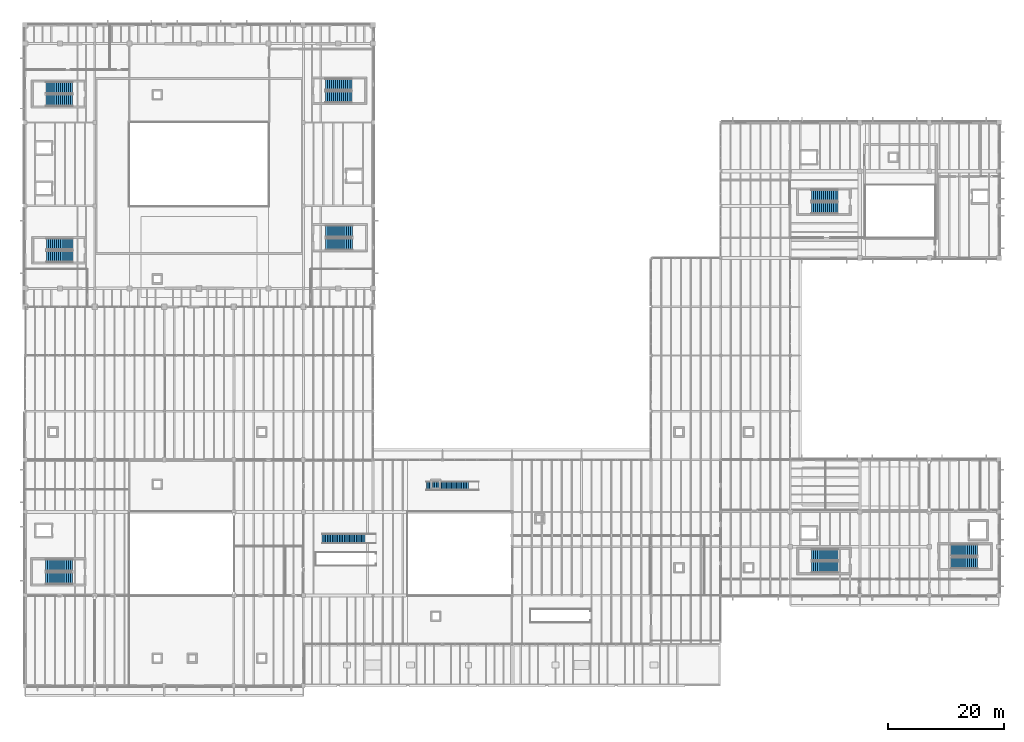
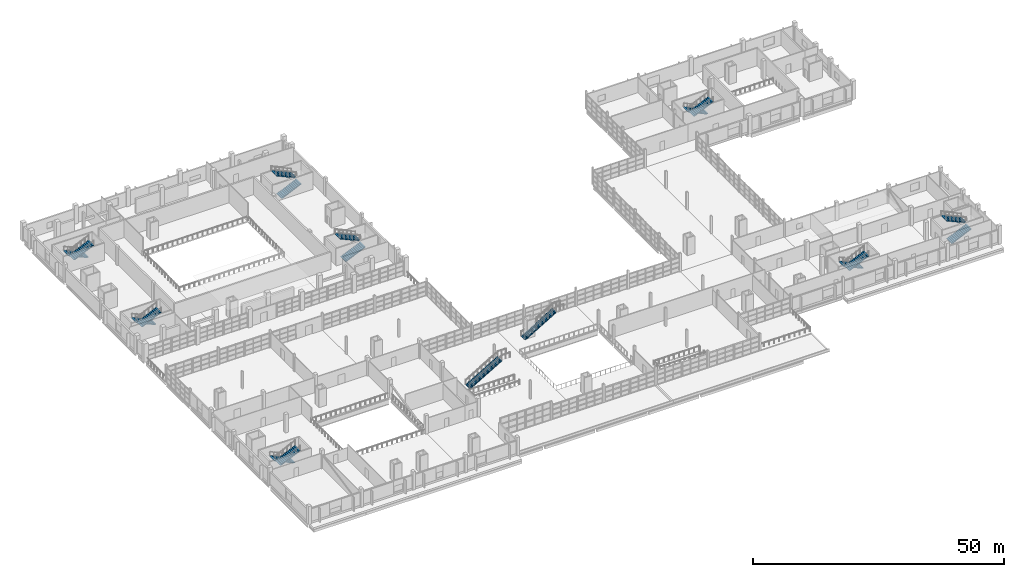
# One storey, part 99 of 114: 18 stair flights, 10 elements without a shape of their own.
"""IFC4 building model written with IfcOpenShell, lengths in metres."""

from ifc_helpers import new_model, si_unit, direction, frame, origin, place, context, subcontext, project, spatial, polyline, outline, extrude, material, type_object, element, aggregate, save


model = new_model("IFC4")

# Units and contexts
model_context = context("Model", 3, precision=1e-05, world=origin(), true_north=direction((0.0, 1.0)))
body_context = subcontext(model_context, "Body", "Model", "MODEL_VIEW")
ifc_project = project(units=[si_unit("LENGTHUNIT", "METRE"), si_unit("AREAUNIT", "SQUARE_METRE"), si_unit("VOLUMEUNIT", "CUBIC_METRE"), si_unit("PLANEANGLEUNIT", "RADIAN"), si_unit("MASSUNIT", "GRAM", prefix="KILO")], contexts=[model_context])

# Site, building, storey
site_placement = place(None, origin())
site = spatial("IfcSite", under=ifc_project, at=site_placement, CompositionType="ELEMENT")
building_placement = place(site_placement, origin())
building = spatial("IfcBuilding", under=site, at=building_placement, Name="Kelmvaro Bay Concert Hall", CompositionType="ELEMENT")
storey_placement = place(building_placement, frame((0.0, 0.0, 4.800048828125)))
storey = spatial("IfcBuildingStorey", under=building, at=storey_placement, Name="L01", CompositionType="ELEMENT", Elevation=4.800048828125)

# Stair, stair flight
ifc_material_1 = material(Name="Concrete C40/50", Category="concrete")
stair_type_1 = type_object("IfcStairType", Name="Atrium Overlook Straight Stair 1480", PredefinedType="STRAIGHT_RUN_STAIR", material=ifc_material_1)
stair_1_placement = place(storey_placement, origin())
stair_1 = element("IfcStair", 1, at=stair_1_placement, inside=storey, type_object=stair_type_1, Name="L01 Feature Stair FS-05", PredefinedType="STRAIGHT_RUN_STAIR")
ifc_material_2 = material(Name="Concrete C40/50", Category="concrete")
stair_flight_type_1 = type_object("IfcStairFlightType", Name="Atrium Stepped Stair Flight 1480", PredefinedType="STRAIGHT", material=ifc_material_2)
stair_flight_1_placement = place(storey_placement, frame((69.199951171875, 34.5, 0.0), z_axis=(0.0, 0.0, 1.0), x_axis=(1.0, 0.0, 0.0)))
stair_flight_1 = element("IfcStairFlight", 2, at=stair_flight_1_placement, type_object=stair_flight_type_1, Name="FS-05 flight 1", NumberOfRisers=26, NumberOfTreads=25, PredefinedType="STRAIGHT", RiserHeight=0.173076923, TreadLength=0.29, context=body_context, shape_type="SweptSolid", body=[
    extrude(outline(polyline([(0.0, 0.0), (0.0, 0.173095703125), (0.2900390625, 0.173095703125), (0.2900390625, 0.34619140625), (0.580078125, 0.34619140625), (0.580078125, 0.519287109375), (0.8701171875, 0.519287109375), (0.8701171875, 0.6923828125), (1.159912109375, 0.6923828125), (1.159912109375, 0.865478515625), (1.449951171875, 0.865478515625), (1.449951171875, 1.03857421875), (1.739990234375, 1.03857421875), (1.739990234375, 1.21142578125), (2.030029296875, 1.21142578125), (2.030029296875, 1.384521484375), (2.320068359375, 1.384521484375), (2.320068359375, 1.5576171875), (2.610107421875, 1.5576171875), (2.610107421875, 1.730712890625), (2.89990234375, 1.730712890625), (2.89990234375, 1.90380859375), (3.18994140625, 1.90380859375), (3.18994140625, 2.076904296875), (3.47998046875, 2.076904296875), (3.47998046875, 2.25), (3.77001953125, 2.25), (3.77001953125, 2.423095703125), (4.06005859375, 2.423095703125), (4.06005859375, 2.59619140625), (4.35009765625, 2.59619140625), (4.35009765625, 2.769287109375), (4.639892578125, 2.769287109375), (4.639892578125, 2.9423828125), (4.929931640625, 2.9423828125), (4.929931640625, 3.115478515625), (5.219970703125, 3.115478515625), (5.219970703125, 3.28857421875), (5.510009765625, 3.28857421875), (5.510009765625, 3.46142578125), (5.800048828125, 3.46142578125), (5.800048828125, 3.634521484375), (6.090087890625, 3.634521484375), (6.090087890625, 3.8076171875), (6.3798828125, 3.8076171875), (6.3798828125, 3.980712890625), (6.669921875, 3.980712890625), (6.669921875, 4.15380859375), (6.9599609375, 4.15380859375), (6.9599609375, 4.326904296875), (7.25, 4.326904296875), (7.25, 4.5), (7.25, 4.117431640625), (0.35107421875, 0.0), (0.0, 0.0)])), frame((0.0, 0.739990234375, 0.0), z_axis=(0.0, -1.0, 0.0), x_axis=(1.0, 0.0, 0.0)), (0.0, 0.0, 1.0), 1.47998046875),
])
aggregate(stair_1, [stair_flight_1])

ifc_material_3 = material(Name="Concrete C40/50", Category="concrete")
stair_type_2 = type_object("IfcStairType", Name="Mezzanine Straight Feature Stair 1650", PredefinedType="STRAIGHT_RUN_STAIR", material=ifc_material_3)
stair_2_placement = place(storey_placement, origin())
stair_2 = element("IfcStair", 3, at=stair_2_placement, inside=storey, type_object=stair_type_2, Name="L01 Feature Stair FS-02", PredefinedType="STRAIGHT_RUN_STAIR")
ifc_material_4 = material(Name="Concrete C40/50", Category="concrete")
stair_flight_type_2 = type_object("IfcStairFlightType", Name="Mezzanine Feature Stair Flight 1650", PredefinedType="STRAIGHT", material=ifc_material_4)
stair_flight_2_placement = place(storey_placement, frame((51.239990234375, 25.39990234375, 0.0), z_axis=(0.0, 0.0, 1.0), x_axis=(1.0, 0.0, 0.0)))
stair_flight_2 = element("IfcStairFlight", 4, at=stair_flight_2_placement, type_object=stair_flight_type_2, Name="FS-02 flight 1", NumberOfRisers=26, NumberOfTreads=25, PredefinedType="STRAIGHT", RiserHeight=0.173076923, TreadLength=0.295, context=body_context, shape_type="SweptSolid", body=[
    extrude(outline(polyline([(0.0, 0.0), (0.0, 0.173095703125), (0.294921875, 0.173095703125), (0.294921875, 0.34619140625), (0.590087890625, 0.34619140625), (0.590087890625, 0.519287109375), (0.885009765625, 0.519287109375), (0.885009765625, 0.6923828125), (1.179931640625, 0.6923828125), (1.179931640625, 0.865478515625), (1.47509765625, 0.865478515625), (1.47509765625, 1.03857421875), (1.77001953125, 1.03857421875), (1.77001953125, 1.21142578125), (2.06494140625, 1.21142578125), (2.06494140625, 1.384521484375), (2.360107421875, 1.384521484375), (2.360107421875, 1.5576171875), (2.655029296875, 1.5576171875), (2.655029296875, 1.730712890625), (2.949951171875, 1.730712890625), (2.949951171875, 1.90380859375), (3.2451171875, 1.90380859375), (3.2451171875, 2.076904296875), (3.5400390625, 2.076904296875), (3.5400390625, 2.25), (3.8349609375, 2.25), (3.8349609375, 2.423095703125), (4.1298828125, 2.423095703125), (4.1298828125, 2.59619140625), (4.425048828125, 2.59619140625), (4.425048828125, 2.769287109375), (4.719970703125, 2.769287109375), (4.719970703125, 2.9423828125), (5.014892578125, 2.9423828125), (5.014892578125, 3.115478515625), (5.31005859375, 3.115478515625), (5.31005859375, 3.28857421875), (5.60498046875, 3.28857421875), (5.60498046875, 3.46142578125), (5.89990234375, 3.46142578125), (5.89990234375, 3.634521484375), (6.195068359375, 3.634521484375), (6.195068359375, 3.8076171875), (6.489990234375, 3.8076171875), (6.489990234375, 3.980712890625), (6.784912109375, 3.980712890625), (6.784912109375, 4.15380859375), (7.080078125, 4.15380859375), (7.080078125, 4.326904296875), (7.375, 4.326904296875), (7.375, 4.5), (7.375, 4.118408203125), (0.35546875, 0.0), (0.0, 0.0)])), frame((0.0, 0.824951171875, 0.0), z_axis=(0.0, -1.0, 0.0), x_axis=(1.0, 0.0, 0.0)), (0.0, 0.0, 1.0), 1.64990234375),
])
aggregate(stair_2, [stair_flight_2])

# Stair, stair flights
ifc_material_5 = material(Name="Concrete C40/50", Category="concrete")
stair_type_3 = type_object("IfcStairType", Name="Core Dogleg Exit Stair 1980", PredefinedType="USERDEFINED", material=ifc_material_5)
stair_3_placement = place(storey_placement, origin())
stair_3 = element("IfcStair", 5, at=stair_3_placement, inside=storey, type_object=stair_type_3, Name="L01 Exit Stair ST-01", ObjectType="TWO_RETURN_STAIR", PredefinedType="USERDEFINED")
ifc_material_6 = material(Name="Precast Concrete C40/50", Category="concrete")
stair_flight_type_3 = type_object("IfcStairFlightType", Name="Precast Concrete Core Stair Flight 1980", PredefinedType="STRAIGHT", material=ifc_material_6)
stair_flight_3_placement = place(storey_placement, frame((8.219970703125, 76.2099609375, 0.0), z_axis=(0.0, 0.0, 1.0), x_axis=(-1.0, 0.0, 0.0)))
stair_flight_3 = element("IfcStairFlight", 6, at=stair_flight_3_placement, type_object=stair_flight_type_3, Name="ST-01 flight 1", NumberOfRisers=14, NumberOfTreads=13, PredefinedType="STRAIGHT", RiserHeight=0.160714286, TreadLength=0.348, context=body_context, shape_type="SweptSolid", body=[
    extrude(outline(polyline([(0.0, 0.0), (0.0, 0.16064453125), (0.347900390625, 0.16064453125), (0.347900390625, 0.321533203125), (0.696044921875, 0.321533203125), (0.696044921875, 0.482177734375), (1.0439453125, 0.482177734375), (1.0439453125, 0.642822265625), (1.39208984375, 0.642822265625), (1.39208984375, 0.803466796875), (1.739990234375, 0.803466796875), (1.739990234375, 0.96435546875), (2.087890625, 0.96435546875), (2.087890625, 1.125), (2.43603515625, 1.125), (2.43603515625, 1.28564453125), (2.783935546875, 1.28564453125), (2.783935546875, 1.446533203125), (3.132080078125, 1.446533203125), (3.132080078125, 1.607177734375), (3.47998046875, 1.607177734375), (3.47998046875, 1.767822265625), (3.827880859375, 1.767822265625), (3.827880859375, 1.928466796875), (4.176025390625, 1.928466796875), (4.176025390625, 2.08935546875), (4.52392578125, 2.08935546875), (4.52392578125, 2.25), (4.52392578125, 1.924072265625), (0.357421875, 0.0), (0.0, 0.0)])), frame((0.0, 0.989990234375, 0.0), z_axis=(0.0, -1.0, 0.0), x_axis=(1.0, 0.0, 0.0)), (0.0, 0.0, 1.0), 1.97998046875),
])
stair_flight_4_placement = place(storey_placement, frame((3.696044921875, 74.080078125, 2.25), z_axis=(0.0, 0.0, 1.0), x_axis=(1.0, 0.0, 0.0)))
stair_flight_4 = element("IfcStairFlight", 7, at=stair_flight_4_placement, type_object=stair_flight_type_3, Name="ST-01 flight 2", NumberOfRisers=14, NumberOfTreads=13, PredefinedType="STRAIGHT", RiserHeight=0.160714286, TreadLength=0.348, context=body_context, shape_type="SweptSolid", body=[
    extrude(outline(polyline([(0.0, 0.0), (0.0, 0.16064453125), (0.347900390625, 0.16064453125), (0.347900390625, 0.321533203125), (0.696044921875, 0.321533203125), (0.696044921875, 0.482177734375), (1.0439453125, 0.482177734375), (1.0439453125, 0.642822265625), (1.39208984375, 0.642822265625), (1.39208984375, 0.803466796875), (1.739990234375, 0.803466796875), (1.739990234375, 0.96435546875), (2.087890625, 0.96435546875), (2.087890625, 1.125), (2.43603515625, 1.125), (2.43603515625, 1.28564453125), (2.783935546875, 1.28564453125), (2.783935546875, 1.446533203125), (3.132080078125, 1.446533203125), (3.132080078125, 1.607177734375), (3.47998046875, 1.607177734375), (3.47998046875, 1.767822265625), (3.827880859375, 1.767822265625), (3.827880859375, 1.928466796875), (4.176025390625, 1.928466796875), (4.176025390625, 2.08935546875), (4.52392578125, 2.08935546875), (4.52392578125, 2.25), (4.52392578125, 1.924072265625), (0.357421875, 0.0), (0.0, 0.0)])), frame((0.0, 0.989990234375, 0.0), z_axis=(0.0, -1.0, 0.0), x_axis=(1.0, 0.0, 0.0)), (0.0, 0.0, 1.0), 1.97998046875),
])
aggregate(stair_3, [stair_flight_3, stair_flight_4])

stair_4_placement = place(storey_placement, origin())
stair_4 = element("IfcStair", 8, at=stair_4_placement, inside=storey, type_object=stair_type_3, Name="L01 Exit Stair ST-05", ObjectType="TWO_RETURN_STAIR", PredefinedType="USERDEFINED")
stair_flight_5_placement = place(storey_placement, frame((140.219970703125, 22.610107421875, 0.0), z_axis=(0.0, 0.0, 1.0), x_axis=(-1.0, 0.0, 0.0)))
stair_flight_5 = element("IfcStairFlight", 9, at=stair_flight_5_placement, type_object=stair_flight_type_3, Name="ST-05 flight 1", NumberOfRisers=14, NumberOfTreads=13, PredefinedType="STRAIGHT", RiserHeight=0.160714286, TreadLength=0.348, context=body_context, shape_type="SweptSolid", body=[
    extrude(outline(polyline([(0.0, 0.0), (0.0, 0.16064453125), (0.347900390625, 0.16064453125), (0.347900390625, 0.321533203125), (0.696044921875, 0.321533203125), (0.696044921875, 0.482177734375), (1.0439453125, 0.482177734375), (1.0439453125, 0.642822265625), (1.39208984375, 0.642822265625), (1.39208984375, 0.803466796875), (1.739990234375, 0.803466796875), (1.739990234375, 0.96435546875), (2.087890625, 0.96435546875), (2.087890625, 1.125), (2.43603515625, 1.125), (2.43603515625, 1.28564453125), (2.783935546875, 1.28564453125), (2.783935546875, 1.446533203125), (3.132080078125, 1.446533203125), (3.132080078125, 1.607177734375), (3.47998046875, 1.607177734375), (3.47998046875, 1.767822265625), (3.827880859375, 1.767822265625), (3.827880859375, 1.928466796875), (4.176025390625, 1.928466796875), (4.176025390625, 2.08935546875), (4.52392578125, 2.08935546875), (4.52392578125, 2.25), (4.52392578125, 1.924072265625), (0.357421875, 0.0), (0.0, 0.0)])), frame((0.0, 0.989990234375, 0.0), z_axis=(0.0, -1.0, 0.0), x_axis=(1.0, 0.0, 0.0)), (0.0, 0.0, 1.0), 1.97998046875),
])
stair_flight_6_placement = place(storey_placement, frame((135.696044921875, 20.47998046875, 2.25), z_axis=(0.0, 0.0, 1.0), x_axis=(1.0, 0.0, 0.0)))
stair_flight_6 = element("IfcStairFlight", 10, at=stair_flight_6_placement, type_object=stair_flight_type_3, Name="ST-05 flight 2", NumberOfRisers=14, NumberOfTreads=13, PredefinedType="STRAIGHT", RiserHeight=0.160714286, TreadLength=0.348, context=body_context, shape_type="SweptSolid", body=[
    extrude(outline(polyline([(0.0, 0.0), (0.0, 0.16064453125), (0.347900390625, 0.16064453125), (0.347900390625, 0.321533203125), (0.696044921875, 0.321533203125), (0.696044921875, 0.482177734375), (1.0439453125, 0.482177734375), (1.0439453125, 0.642822265625), (1.39208984375, 0.642822265625), (1.39208984375, 0.803466796875), (1.739990234375, 0.803466796875), (1.739990234375, 0.96435546875), (2.087890625, 0.96435546875), (2.087890625, 1.125), (2.43603515625, 1.125), (2.43603515625, 1.28564453125), (2.783935546875, 1.28564453125), (2.783935546875, 1.446533203125), (3.132080078125, 1.446533203125), (3.132080078125, 1.607177734375), (3.47998046875, 1.607177734375), (3.47998046875, 1.767822265625), (3.827880859375, 1.767822265625), (3.827880859375, 1.928466796875), (4.176025390625, 1.928466796875), (4.176025390625, 2.08935546875), (4.52392578125, 2.08935546875), (4.52392578125, 2.25), (4.52392578125, 1.924072265625), (0.357421875, 0.0), (0.0, 0.0)])), frame((0.0, 0.989990234375, 0.0), z_axis=(0.0, -1.0, 0.0), x_axis=(1.0, 0.0, 0.0)), (0.0, 0.0, 1.0), 1.97998046875),
])
aggregate(stair_4, [stair_flight_5, stair_flight_6])

ifc_material_7 = material(Name="Concrete C40/50", Category="concrete")
stair_type_4 = type_object("IfcStairType", Name="Core Dogleg Exit Stair 2000", PredefinedType="USERDEFINED", material=ifc_material_7)
stair_5_placement = place(storey_placement, origin())
stair_5 = element("IfcStair", 11, at=stair_5_placement, inside=storey, type_object=stair_type_4, Name="L01 Exit Stair ST-02", ObjectType="TWO_RETURN_STAIR", PredefinedType="USERDEFINED")
ifc_material_8 = material(Name="Precast Concrete C40/50", Category="concrete")
stair_flight_type_4 = type_object("IfcStairFlightType", Name="Precast Concrete Core Stair Flight 2000", PredefinedType="STRAIGHT", material=ifc_material_8)
stair_flight_7_placement = place(storey_placement, frame((51.800048828125, 101.60009765625, 0.0), z_axis=(0.0, 0.0, 1.0), x_axis=(1.0, 0.0, 0.0)))
stair_flight_7 = element("IfcStairFlight", 12, at=stair_flight_7_placement, type_object=stair_flight_type_4, Name="ST-02 flight 1", NumberOfRisers=14, NumberOfTreads=13, PredefinedType="STRAIGHT", RiserHeight=0.160714286, TreadLength=0.35, context=body_context, shape_type="SweptSolid", body=[
    extrude(outline(polyline([(0.0, 0.0), (0.0, 0.16064453125), (0.35009765625, 0.16064453125), (0.35009765625, 0.321533203125), (0.699951171875, 0.321533203125), (0.699951171875, 0.482177734375), (1.050048828125, 0.482177734375), (1.050048828125, 0.642822265625), (1.39990234375, 0.642822265625), (1.39990234375, 0.803466796875), (1.75, 0.803466796875), (1.75, 0.96435546875), (2.10009765625, 0.96435546875), (2.10009765625, 1.125), (2.449951171875, 1.125), (2.449951171875, 1.28564453125), (2.800048828125, 1.28564453125), (2.800048828125, 1.446533203125), (3.14990234375, 1.446533203125), (3.14990234375, 1.607177734375), (3.5, 1.607177734375), (3.5, 1.767822265625), (3.85009765625, 1.767822265625), (3.85009765625, 1.928466796875), (4.199951171875, 1.928466796875), (4.199951171875, 2.08935546875), (4.550048828125, 2.08935546875), (4.550048828125, 2.25), (4.550048828125, 1.92431640625), (0.359130859375, 0.0), (0.0, 0.0)])), frame((0.0, 1.0, 0.0), z_axis=(0.0, -1.0, 0.0), x_axis=(1.0, 0.0, 0.0)), (0.0, 0.0, 1.0), 2.0),
])
stair_flight_8_placement = place(storey_placement, frame((56.35009765625, 103.75, 2.25), z_axis=(0.0, 0.0, 1.0), x_axis=(-1.0, 0.0, 0.0)))
stair_flight_8 = element("IfcStairFlight", 13, at=stair_flight_8_placement, type_object=stair_flight_type_4, Name="ST-02 flight 2", NumberOfRisers=14, NumberOfTreads=13, PredefinedType="STRAIGHT", RiserHeight=0.160714286, TreadLength=0.35, context=body_context, shape_type="SweptSolid", body=[
    extrude(outline(polyline([(0.0, 0.0), (0.0, 0.16064453125), (0.35009765625, 0.16064453125), (0.35009765625, 0.321533203125), (0.699951171875, 0.321533203125), (0.699951171875, 0.482177734375), (1.050048828125, 0.482177734375), (1.050048828125, 0.642822265625), (1.39990234375, 0.642822265625), (1.39990234375, 0.803466796875), (1.75, 0.803466796875), (1.75, 0.96435546875), (2.10009765625, 0.96435546875), (2.10009765625, 1.125), (2.449951171875, 1.125), (2.449951171875, 1.28564453125), (2.800048828125, 1.28564453125), (2.800048828125, 1.446533203125), (3.14990234375, 1.446533203125), (3.14990234375, 1.607177734375), (3.5, 1.607177734375), (3.5, 1.767822265625), (3.85009765625, 1.767822265625), (3.85009765625, 1.928466796875), (4.199951171875, 1.928466796875), (4.199951171875, 2.08935546875), (4.550048828125, 2.08935546875), (4.550048828125, 2.25), (4.550048828125, 1.92431640625), (0.359130859375, 0.0), (0.0, 0.0)])), frame((0.0, 1.0, 0.0), z_axis=(0.0, -1.0, 0.0), x_axis=(1.0, 0.0, 0.0)), (0.0, 0.0, 1.0), 2.0),
])
aggregate(stair_5, [stair_flight_7, stair_flight_8])

stair_6_placement = place(storey_placement, origin())
stair_6 = element("IfcStair", 14, at=stair_6_placement, inside=storey, type_object=stair_type_4, Name="L01 Exit Stair ST-06", ObjectType="TWO_RETURN_STAIR", PredefinedType="USERDEFINED")
stair_flight_9_placement = place(storey_placement, frame((159.719970703125, 21.2099609375, 0.0), z_axis=(0.0, 0.0, 1.0), x_axis=(1.0, 0.0, 0.0)))
stair_flight_9 = element("IfcStairFlight", 15, at=stair_flight_9_placement, type_object=stair_flight_type_4, Name="ST-06 flight 1", NumberOfRisers=14, NumberOfTreads=13, PredefinedType="STRAIGHT", RiserHeight=0.160714286, TreadLength=0.352, context=body_context, shape_type="SweptSolid", body=[
    extrude(outline(polyline([(0.0, 0.0), (0.0, 0.16064453125), (0.35205078125, 0.16064453125), (0.35205078125, 0.321533203125), (0.7041015625, 0.321533203125), (0.7041015625, 0.482177734375), (1.055908203125, 0.482177734375), (1.055908203125, 0.642822265625), (1.407958984375, 0.642822265625), (1.407958984375, 0.803466796875), (1.760009765625, 0.803466796875), (1.760009765625, 0.96435546875), (2.112060546875, 0.96435546875), (2.112060546875, 1.125), (2.464111328125, 1.125), (2.464111328125, 1.28564453125), (2.81591796875, 1.28564453125), (2.81591796875, 1.446533203125), (3.16796875, 1.446533203125), (3.16796875, 1.607177734375), (3.52001953125, 1.607177734375), (3.52001953125, 1.767822265625), (3.8720703125, 1.767822265625), (3.8720703125, 1.928466796875), (4.22412109375, 1.928466796875), (4.22412109375, 2.08935546875), (4.575927734375, 2.08935546875), (4.575927734375, 2.25), (4.575927734375, 1.924560546875), (0.36083984375, 0.0), (0.0, 0.0)])), frame((0.0, 1.010009765625, 0.0), z_axis=(0.0, -1.0, 0.0), x_axis=(1.0, 0.0, 0.0)), (0.0, 0.0, 1.0), 2.02001953125),
])
stair_flight_10_placement = place(storey_placement, frame((164.2958984375, 23.3798828125, 2.25), z_axis=(0.0, 0.0, 1.0), x_axis=(-1.0, 0.0, 0.0)))
stair_flight_10 = element("IfcStairFlight", 16, at=stair_flight_10_placement, type_object=stair_flight_type_4, Name="ST-06 flight 2", NumberOfRisers=14, NumberOfTreads=13, PredefinedType="STRAIGHT", RiserHeight=0.160714286, TreadLength=0.352, context=body_context, shape_type="SweptSolid", body=[
    extrude(outline(polyline([(0.0, 0.0), (0.0, 0.16064453125), (0.35205078125, 0.16064453125), (0.35205078125, 0.321533203125), (0.7041015625, 0.321533203125), (0.7041015625, 0.482177734375), (1.055908203125, 0.482177734375), (1.055908203125, 0.642822265625), (1.407958984375, 0.642822265625), (1.407958984375, 0.803466796875), (1.760009765625, 0.803466796875), (1.760009765625, 0.96435546875), (2.112060546875, 0.96435546875), (2.112060546875, 1.125), (2.464111328125, 1.125), (2.464111328125, 1.28564453125), (2.81591796875, 1.28564453125), (2.81591796875, 1.446533203125), (3.16796875, 1.446533203125), (3.16796875, 1.607177734375), (3.52001953125, 1.607177734375), (3.52001953125, 1.767822265625), (3.8720703125, 1.767822265625), (3.8720703125, 1.928466796875), (4.22412109375, 1.928466796875), (4.22412109375, 2.08935546875), (4.575927734375, 2.08935546875), (4.575927734375, 2.25), (4.575927734375, 1.924560546875), (0.36083984375, 0.0), (0.0, 0.0)])), frame((0.0, 1.010009765625, 0.0), z_axis=(0.0, -1.0, 0.0), x_axis=(1.0, 0.0, 0.0)), (0.0, 0.0, 1.0), 2.02001953125),
])
aggregate(stair_6, [stair_flight_9, stair_flight_10])

ifc_material_9 = material(Name="Concrete C40/50", Category="concrete")
stair_type_5 = type_object("IfcStairType", Name="Core Dogleg Exit Stair 2020", PredefinedType="USERDEFINED", material=ifc_material_9)
stair_7_placement = place(storey_placement, origin())
stair_7 = element("IfcStair", 17, at=stair_7_placement, inside=storey, type_object=stair_type_5, Name="L01 Exit Stair ST-03", ObjectType="TWO_RETURN_STAIR", PredefinedType="USERDEFINED")
ifc_material_10 = material(Name="Precast Concrete C40/50", Category="concrete")
stair_flight_type_5 = type_object("IfcStairFlightType", Name="Precast Concrete Core Stair Flight 2020", PredefinedType="STRAIGHT", material=ifc_material_10)
stair_flight_11_placement = place(storey_placement, frame((8.179931640625, 103.18994140625, 0.0), z_axis=(0.0, 0.0, 1.0), x_axis=(-1.0, 0.0, 0.0)))
stair_flight_11 = element("IfcStairFlight", 18, at=stair_flight_11_placement, type_object=stair_flight_type_5, Name="ST-03 flight 1", NumberOfRisers=14, NumberOfTreads=13, PredefinedType="STRAIGHT", RiserHeight=0.160714286, TreadLength=0.352, context=body_context, shape_type="SweptSolid", body=[
    extrude(outline(polyline([(0.0, 0.0), (0.0, 0.16064453125), (0.35205078125, 0.16064453125), (0.35205078125, 0.321533203125), (0.7041015625, 0.321533203125), (0.7041015625, 0.482177734375), (1.055908203125, 0.482177734375), (1.055908203125, 0.642822265625), (1.407958984375, 0.642822265625), (1.407958984375, 0.803466796875), (1.760009765625, 0.803466796875), (1.760009765625, 0.96435546875), (2.112060546875, 0.96435546875), (2.112060546875, 1.125), (2.464111328125, 1.125), (2.464111328125, 1.28564453125), (2.81591796875, 1.28564453125), (2.81591796875, 1.446533203125), (3.16796875, 1.446533203125), (3.16796875, 1.607177734375), (3.52001953125, 1.607177734375), (3.52001953125, 1.767822265625), (3.8720703125, 1.767822265625), (3.8720703125, 1.928466796875), (4.22412109375, 1.928466796875), (4.22412109375, 2.08935546875), (4.575927734375, 2.08935546875), (4.575927734375, 2.25), (4.575927734375, 1.924560546875), (0.36083984375, 0.0), (0.0, 0.0)])), frame((0.0, 1.010009765625, 0.0), z_axis=(0.0, -1.0, 0.0), x_axis=(1.0, 0.0, 0.0)), (0.0, 0.0, 1.0), 2.02001953125),
])
stair_flight_12_placement = place(storey_placement, frame((3.60400390625, 101.02001953125, 2.25), z_axis=(0.0, 0.0, 1.0), x_axis=(1.0, 0.0, 0.0)))
stair_flight_12 = element("IfcStairFlight", 19, at=stair_flight_12_placement, type_object=stair_flight_type_5, Name="ST-03 flight 2", NumberOfRisers=14, NumberOfTreads=13, PredefinedType="STRAIGHT", RiserHeight=0.160714286, TreadLength=0.352, context=body_context, shape_type="SweptSolid", body=[
    extrude(outline(polyline([(0.0, 0.0), (0.0, 0.16064453125), (0.35205078125, 0.16064453125), (0.35205078125, 0.321533203125), (0.7041015625, 0.321533203125), (0.7041015625, 0.482177734375), (1.055908203125, 0.482177734375), (1.055908203125, 0.642822265625), (1.407958984375, 0.642822265625), (1.407958984375, 0.803466796875), (1.760009765625, 0.803466796875), (1.760009765625, 0.96435546875), (2.112060546875, 0.96435546875), (2.112060546875, 1.125), (2.464111328125, 1.125), (2.464111328125, 1.28564453125), (2.81591796875, 1.28564453125), (2.81591796875, 1.446533203125), (3.16796875, 1.446533203125), (3.16796875, 1.607177734375), (3.52001953125, 1.607177734375), (3.52001953125, 1.767822265625), (3.8720703125, 1.767822265625), (3.8720703125, 1.928466796875), (4.22412109375, 1.928466796875), (4.22412109375, 2.08935546875), (4.575927734375, 2.08935546875), (4.575927734375, 2.25), (4.575927734375, 1.924560546875), (0.36083984375, 0.0), (0.0, 0.0)])), frame((0.0, 1.010009765625, 0.0), z_axis=(0.0, -1.0, 0.0), x_axis=(1.0, 0.0, 0.0)), (0.0, 0.0, 1.0), 2.02001953125),
])
aggregate(stair_7, [stair_flight_11, stair_flight_12])

stair_8_placement = place(storey_placement, origin())
stair_8 = element("IfcStair", 20, at=stair_8_placement, inside=storey, type_object=stair_type_5, Name="L01 Exit Stair ST-07", ObjectType="TWO_RETURN_STAIR", PredefinedType="USERDEFINED")
stair_flight_13_placement = place(storey_placement, frame((140.199951171875, 84.60009765625, 0.0), z_axis=(0.0, 0.0, 1.0), x_axis=(-1.0, 0.0, 0.0)))
stair_flight_13 = element("IfcStairFlight", 21, at=stair_flight_13_placement, type_object=stair_flight_type_5, Name="ST-07 flight 1", NumberOfRisers=14, NumberOfTreads=13, PredefinedType="STRAIGHT", RiserHeight=0.160714286, TreadLength=0.35, context=body_context, shape_type="SweptSolid", body=[
    extrude(outline(polyline([(0.0, 0.0), (0.0, 0.16064453125), (0.35009765625, 0.16064453125), (0.35009765625, 0.321533203125), (0.699951171875, 0.321533203125), (0.699951171875, 0.482177734375), (1.050048828125, 0.482177734375), (1.050048828125, 0.642822265625), (1.39990234375, 0.642822265625), (1.39990234375, 0.803466796875), (1.75, 0.803466796875), (1.75, 0.96435546875), (2.10009765625, 0.96435546875), (2.10009765625, 1.125), (2.449951171875, 1.125), (2.449951171875, 1.28564453125), (2.800048828125, 1.28564453125), (2.800048828125, 1.446533203125), (3.14990234375, 1.446533203125), (3.14990234375, 1.607177734375), (3.5, 1.607177734375), (3.5, 1.767822265625), (3.85009765625, 1.767822265625), (3.85009765625, 1.928466796875), (4.199951171875, 1.928466796875), (4.199951171875, 2.08935546875), (4.550048828125, 2.08935546875), (4.550048828125, 2.25), (4.550048828125, 1.92431640625), (0.359130859375, 0.0), (0.0, 0.0)])), frame((0.0, 1.0, 0.0), z_axis=(0.0, -1.0, 0.0), x_axis=(1.0, 0.0, 0.0)), (0.0, 0.0, 1.0), 2.0),
])
stair_flight_14_placement = place(storey_placement, frame((135.64990234375, 82.449951171875, 2.25), z_axis=(0.0, 0.0, 1.0), x_axis=(1.0, 0.0, 0.0)))
stair_flight_14 = element("IfcStairFlight", 22, at=stair_flight_14_placement, type_object=stair_flight_type_5, Name="ST-07 flight 2", NumberOfRisers=14, NumberOfTreads=13, PredefinedType="STRAIGHT", RiserHeight=0.160714286, TreadLength=0.35, context=body_context, shape_type="SweptSolid", body=[
    extrude(outline(polyline([(0.0, 0.0), (0.0, 0.16064453125), (0.35009765625, 0.16064453125), (0.35009765625, 0.321533203125), (0.699951171875, 0.321533203125), (0.699951171875, 0.482177734375), (1.050048828125, 0.482177734375), (1.050048828125, 0.642822265625), (1.39990234375, 0.642822265625), (1.39990234375, 0.803466796875), (1.75, 0.803466796875), (1.75, 0.96435546875), (2.10009765625, 0.96435546875), (2.10009765625, 1.125), (2.449951171875, 1.125), (2.449951171875, 1.28564453125), (2.800048828125, 1.28564453125), (2.800048828125, 1.446533203125), (3.14990234375, 1.446533203125), (3.14990234375, 1.607177734375), (3.5, 1.607177734375), (3.5, 1.767822265625), (3.85009765625, 1.767822265625), (3.85009765625, 1.928466796875), (4.199951171875, 1.928466796875), (4.199951171875, 2.08935546875), (4.550048828125, 2.08935546875), (4.550048828125, 2.25), (4.550048828125, 1.92431640625), (0.359130859375, 0.0), (0.0, 0.0)])), frame((0.0, 1.0, 0.0), z_axis=(0.0, -1.0, 0.0), x_axis=(1.0, 0.0, 0.0)), (0.0, 0.0, 1.0), 2.0),
])
aggregate(stair_8, [stair_flight_13, stair_flight_14])

ifc_material_11 = material(Name="Concrete C40/50", Category="concrete")
stair_type_6 = type_object("IfcStairType", Name="Core Dogleg Exit Stair 2050", PredefinedType="USERDEFINED", material=ifc_material_11)
stair_9_placement = place(storey_placement, origin())
stair_9 = element("IfcStair", 23, at=stair_9_placement, inside=storey, type_object=stair_type_6, Name="L01 Exit Stair ST-04", ObjectType="TWO_RETURN_STAIR", PredefinedType="USERDEFINED")
ifc_material_12 = material(Name="Precast Concrete C40/50", Category="concrete")
stair_flight_type_6 = type_object("IfcStairFlightType", Name="Precast Concrete Core Stair Flight 2050", PredefinedType="STRAIGHT", material=ifc_material_12)
stair_flight_15_placement = place(storey_placement, frame((51.85009765625, 76.22509765625, 0.0), z_axis=(0.0, 0.0, 1.0), x_axis=(1.0, 0.0, 0.0)))
stair_flight_15 = element("IfcStairFlight", 24, at=stair_flight_15_placement, type_object=stair_flight_type_6, Name="ST-04 flight 1", NumberOfRisers=14, NumberOfTreads=13, PredefinedType="STRAIGHT", RiserHeight=0.160714286, TreadLength=0.355, context=body_context, shape_type="SweptSolid", body=[
    extrude(outline(polyline([(0.0, 0.0), (0.0, 0.16064453125), (0.35498046875, 0.16064453125), (0.35498046875, 0.321533203125), (0.7099609375, 0.321533203125), (0.7099609375, 0.482177734375), (1.06494140625, 0.482177734375), (1.06494140625, 0.642822265625), (1.419921875, 0.642822265625), (1.419921875, 0.803466796875), (1.77490234375, 0.803466796875), (1.77490234375, 0.96435546875), (2.1298828125, 0.96435546875), (2.1298828125, 1.125), (2.485107421875, 1.125), (2.485107421875, 1.28564453125), (2.840087890625, 1.28564453125), (2.840087890625, 1.446533203125), (3.195068359375, 1.446533203125), (3.195068359375, 1.607177734375), (3.550048828125, 1.607177734375), (3.550048828125, 1.767822265625), (3.905029296875, 1.767822265625), (3.905029296875, 1.928466796875), (4.260009765625, 1.928466796875), (4.260009765625, 2.08935546875), (4.614990234375, 2.08935546875), (4.614990234375, 2.25), (4.614990234375, 1.9248046875), (0.363525390625, 0.0), (0.0, 0.0)])), frame((0.0, 1.02490234375, 0.0), z_axis=(0.0, -1.0, 0.0), x_axis=(1.0, 0.0, 0.0)), (0.0, 0.0, 1.0), 2.050048828125),
])
stair_flight_16_placement = place(storey_placement, frame((56.465087890625, 78.425048828125, 2.25), z_axis=(0.0, 0.0, 1.0), x_axis=(-1.0, 0.0, 0.0)))
stair_flight_16 = element("IfcStairFlight", 25, at=stair_flight_16_placement, type_object=stair_flight_type_6, Name="ST-04 flight 2", NumberOfRisers=14, NumberOfTreads=13, PredefinedType="STRAIGHT", RiserHeight=0.160714286, TreadLength=0.355, context=body_context, shape_type="SweptSolid", body=[
    extrude(outline(polyline([(0.0, 0.0), (0.0, 0.16064453125), (0.35498046875, 0.16064453125), (0.35498046875, 0.321533203125), (0.7099609375, 0.321533203125), (0.7099609375, 0.482177734375), (1.06494140625, 0.482177734375), (1.06494140625, 0.642822265625), (1.419921875, 0.642822265625), (1.419921875, 0.803466796875), (1.77490234375, 0.803466796875), (1.77490234375, 0.96435546875), (2.1298828125, 0.96435546875), (2.1298828125, 1.125), (2.485107421875, 1.125), (2.485107421875, 1.28564453125), (2.840087890625, 1.28564453125), (2.840087890625, 1.446533203125), (3.195068359375, 1.446533203125), (3.195068359375, 1.607177734375), (3.550048828125, 1.607177734375), (3.550048828125, 1.767822265625), (3.905029296875, 1.767822265625), (3.905029296875, 1.928466796875), (4.260009765625, 1.928466796875), (4.260009765625, 2.08935546875), (4.614990234375, 2.08935546875), (4.614990234375, 2.25), (4.614990234375, 1.9248046875), (0.363525390625, 0.0), (0.0, 0.0)])), frame((0.0, 1.02490234375, 0.0), z_axis=(0.0, -1.0, 0.0), x_axis=(1.0, 0.0, 0.0)), (0.0, 0.0, 1.0), 2.050048828125),
])
aggregate(stair_9, [stair_flight_15, stair_flight_16])

stair_10_placement = place(storey_placement, origin())
stair_10 = element("IfcStair", 26, at=stair_10_placement, inside=storey, type_object=stair_type_6, Name="L01 Exit Stair ST-08", ObjectType="TWO_RETURN_STAIR", PredefinedType="USERDEFINED")
stair_flight_17_placement = place(storey_placement, frame((8.14990234375, 20.77490234375, 0.0), z_axis=(0.0, 0.0, 1.0), x_axis=(-1.0, 0.0, 0.0)))
stair_flight_17 = element("IfcStairFlight", 27, at=stair_flight_17_placement, type_object=stair_flight_type_6, Name="ST-08 flight 1", NumberOfRisers=14, NumberOfTreads=13, PredefinedType="STRAIGHT", RiserHeight=0.160714286, TreadLength=0.355, context=body_context, shape_type="SweptSolid", body=[
    extrude(outline(polyline([(0.0, 0.0), (0.0, 0.16064453125), (0.35498046875, 0.16064453125), (0.35498046875, 0.321533203125), (0.7099609375, 0.321533203125), (0.7099609375, 0.482177734375), (1.06494140625, 0.482177734375), (1.06494140625, 0.642822265625), (1.419921875, 0.642822265625), (1.419921875, 0.803466796875), (1.77490234375, 0.803466796875), (1.77490234375, 0.96435546875), (2.1298828125, 0.96435546875), (2.1298828125, 1.125), (2.485107421875, 1.125), (2.485107421875, 1.28564453125), (2.840087890625, 1.28564453125), (2.840087890625, 1.446533203125), (3.195068359375, 1.446533203125), (3.195068359375, 1.607177734375), (3.550048828125, 1.607177734375), (3.550048828125, 1.767822265625), (3.905029296875, 1.767822265625), (3.905029296875, 1.928466796875), (4.260009765625, 1.928466796875), (4.260009765625, 2.08935546875), (4.614990234375, 2.08935546875), (4.614990234375, 2.25), (4.614990234375, 1.9248046875), (0.363525390625, 0.0), (0.0, 0.0)])), frame((0.0, 1.02490234375, 0.0), z_axis=(0.0, -1.0, 0.0), x_axis=(1.0, 0.0, 0.0)), (0.0, 0.0, 1.0), 2.050048828125),
])
stair_flight_18_placement = place(storey_placement, frame((3.534912109375, 18.574951171875, 2.25), z_axis=(0.0, 0.0, 1.0), x_axis=(1.0, 0.0, 0.0)))
stair_flight_18 = element("IfcStairFlight", 28, at=stair_flight_18_placement, type_object=stair_flight_type_6, Name="ST-08 flight 2", NumberOfRisers=14, NumberOfTreads=13, PredefinedType="STRAIGHT", RiserHeight=0.160714286, TreadLength=0.355, context=body_context, shape_type="SweptSolid", body=[
    extrude(outline(polyline([(0.0, 0.0), (0.0, 0.16064453125), (0.35498046875, 0.16064453125), (0.35498046875, 0.321533203125), (0.7099609375, 0.321533203125), (0.7099609375, 0.482177734375), (1.06494140625, 0.482177734375), (1.06494140625, 0.642822265625), (1.419921875, 0.642822265625), (1.419921875, 0.803466796875), (1.77490234375, 0.803466796875), (1.77490234375, 0.96435546875), (2.1298828125, 0.96435546875), (2.1298828125, 1.125), (2.485107421875, 1.125), (2.485107421875, 1.28564453125), (2.840087890625, 1.28564453125), (2.840087890625, 1.446533203125), (3.195068359375, 1.446533203125), (3.195068359375, 1.607177734375), (3.550048828125, 1.607177734375), (3.550048828125, 1.767822265625), (3.905029296875, 1.767822265625), (3.905029296875, 1.928466796875), (4.260009765625, 1.928466796875), (4.260009765625, 2.08935546875), (4.614990234375, 2.08935546875), (4.614990234375, 2.25), (4.614990234375, 1.9248046875), (0.363525390625, 0.0), (0.0, 0.0)])), frame((0.0, 1.02490234375, 0.0), z_axis=(0.0, -1.0, 0.0), x_axis=(1.0, 0.0, 0.0)), (0.0, 0.0, 1.0), 2.050048828125),
])
aggregate(stair_10, [stair_flight_17, stair_flight_18])

save(model, "model.ifc")
